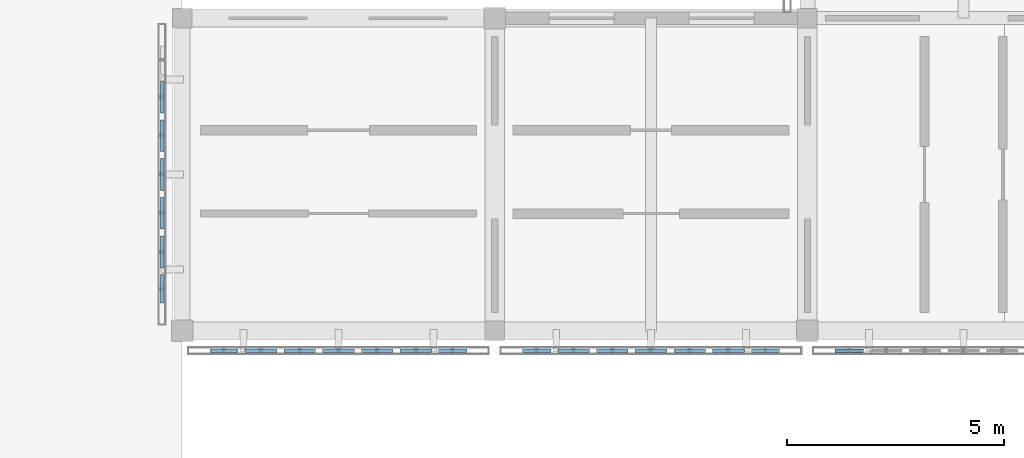
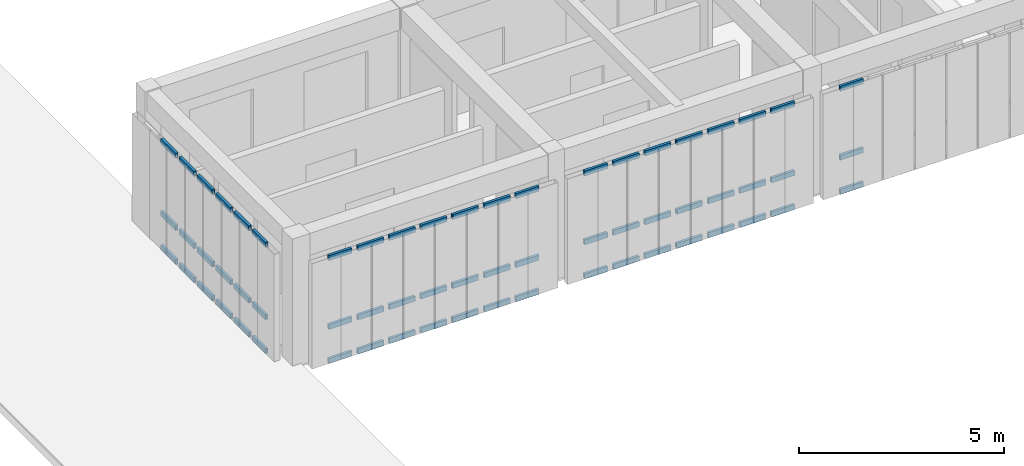
# One storey, part 26 of 67: 63 members, 4 elements without a shape of their own.
"""IFC4 building model written with IfcOpenShell, lengths in metres."""

from ifc_helpers import new_model, si_unit, direction, frame, origin, origin_2d, place, context, subcontext, project, spatial, hollow_rectangle, extrude, material, material_profile, profile_set, type_object, element, aggregate, save


model = new_model("IFC4")

# Units and contexts
model_context = context("Model", 3, precision=1e-05, world=origin(), true_north=direction((0.0, 1.0)))
body_context = subcontext(model_context, "Body", "Model", "MODEL_VIEW")
ifc_project = project(units=[si_unit("LENGTHUNIT", "METRE"), si_unit("AREAUNIT", "SQUARE_METRE"), si_unit("VOLUMEUNIT", "CUBIC_METRE"), si_unit("PLANEANGLEUNIT", "RADIAN"), si_unit("MASSUNIT", "GRAM", prefix="KILO")], contexts=[model_context])

# Site, building, storey
site_placement = place(None, origin())
site = spatial("IfcSite", under=ifc_project, at=site_placement, CompositionType="ELEMENT")
building_placement = place(site_placement, origin())
building = spatial("IfcBuilding", under=site, at=building_placement, Name="Aldebral Square Health Centre", CompositionType="ELEMENT")
storey_placement = place(building_placement, frame((0.0, 0.0, 13.5)))
storey = spatial("IfcBuildingStorey", under=building, at=storey_placement, Name="L03", CompositionType="ELEMENT", Elevation=13.5)

# Curtain wall, members
ifc_material_1 = material(Name="Aluminium and low-E solar glass", Category="aluminium")
curtain_wall_type = type_object("IfcCurtainWallType", Name="CW-FIN-SYS", PredefinedType="USERDEFINED", material=ifc_material_1)
curtain_wall_1_placement = place(storey_placement, origin())
curtain_wall_1 = element("IfcCurtainWall", 1, at=curtain_wall_1_placement, inside=storey, type_object=curtain_wall_type, Name="L03 V5 finned curtain wall L03-V5-20-08-S", ObjectType="SOLAR_CURTAIN_WALL", PredefinedType="USERDEFINED")
ifc_material_2 = material(Name="Anodised aluminium transom", Category="aluminium")
ifc_material_profile = material_profile(ifc_material_2, hollow_rectangle(XDim=0.074951171875, YDim=0.14990234375, WallThickness=0.00390625, at=origin_2d()), Name="CWT 75x150x4")
ifc_profile_set = profile_set([ifc_material_profile], Name="Anodised aluminium transom")
member_type = type_object("IfcMemberType", Name="CWT-STD", PredefinedType="USERDEFINED", material=ifc_profile_set)
member_1_placement = place(storey_placement, frame((144.639892578125, 57.139892578125, 0.03759765625), z_axis=(1.0, 0.0, 0.0), x_axis=(0.0, 1.0, 0.0)))
member_1 = element("IfcMember", 2, at=member_1_placement, type_object=member_type, Name="CW1 transom 1.1", ObjectType="TRANSOM", PredefinedType="USERDEFINED", context=body_context, shape_type="SweptSolid", body=[
    extrude(hollow_rectangle(XDim=0.074951171875, YDim=0.14990234375, WallThickness=0.00390625, at=origin_2d()), origin(), (0.0, 0.0, 1.0), 0.651611328125),
])
member_2_placement = place(storey_placement, frame((144.639892578125, 57.139892578125, 1.050048828125), z_axis=(1.0, 0.0, 0.0), x_axis=(0.0, 1.0, 0.0)))
member_2 = element("IfcMember", 3, at=member_2_placement, type_object=member_type, Name="CW1 transom 1.2", ObjectType="TRANSOM", PredefinedType="USERDEFINED", context=body_context, shape_type="SweptSolid", body=[
    extrude(hollow_rectangle(XDim=0.074951171875, YDim=0.14990234375, WallThickness=0.00390625, at=origin_2d()), origin(), (0.0, 0.0, 1.0), 0.651611328125),
])
member_3_placement = place(storey_placement, frame((144.639892578125, 57.139892578125, 3.1025390625), z_axis=(1.0, 0.0, 0.0), x_axis=(0.0, 1.0, 0.0)))
member_3 = element("IfcMember", 4, at=member_3_placement, type_object=member_type, Name="CW1 transom 1.3", ObjectType="TRANSOM", PredefinedType="USERDEFINED", context=body_context, shape_type="SweptSolid", body=[
    extrude(hollow_rectangle(XDim=0.074951171875, YDim=0.14990234375, WallThickness=0.00390625, at=origin_2d()), origin(), (0.0, 0.0, 1.0), 0.651611328125),
])
member_4_placement = place(storey_placement, frame((145.451416015625, 57.139892578125, 0.03759765625), z_axis=(1.0, 0.0, 0.0), x_axis=(0.0, 1.0, 0.0)))
member_4 = element("IfcMember", 5, at=member_4_placement, type_object=member_type, Name="CW1 transom 2.1", ObjectType="TRANSOM", PredefinedType="USERDEFINED", context=body_context, shape_type="SweptSolid", body=[
    extrude(hollow_rectangle(XDim=0.074951171875, YDim=0.14990234375, WallThickness=0.00390625, at=origin_2d()), origin(), (0.0, 0.0, 1.0), 0.7314453125),
])
member_5_placement = place(storey_placement, frame((145.451416015625, 57.139892578125, 1.050048828125), z_axis=(1.0, 0.0, 0.0), x_axis=(0.0, 1.0, 0.0)))
member_5 = element("IfcMember", 6, at=member_5_placement, type_object=member_type, Name="CW1 transom 2.2", ObjectType="TRANSOM", PredefinedType="USERDEFINED", context=body_context, shape_type="SweptSolid", body=[
    extrude(hollow_rectangle(XDim=0.074951171875, YDim=0.14990234375, WallThickness=0.00390625, at=origin_2d()), origin(), (0.0, 0.0, 1.0), 0.7314453125),
])
member_6_placement = place(storey_placement, frame((145.451416015625, 57.139892578125, 3.1025390625), z_axis=(1.0, 0.0, 0.0), x_axis=(0.0, 1.0, 0.0)))
member_6 = element("IfcMember", 7, at=member_6_placement, type_object=member_type, Name="CW1 transom 2.3", ObjectType="TRANSOM", PredefinedType="USERDEFINED", context=body_context, shape_type="SweptSolid", body=[
    extrude(hollow_rectangle(XDim=0.074951171875, YDim=0.14990234375, WallThickness=0.00390625, at=origin_2d()), origin(), (0.0, 0.0, 1.0), 0.7314453125),
])
member_7_placement = place(storey_placement, frame((146.3427734375, 57.139892578125, 0.03759765625), z_axis=(1.0, 0.0, 0.0), x_axis=(0.0, 1.0, 0.0)))
member_7 = element("IfcMember", 8, at=member_7_placement, type_object=member_type, Name="CW1 transom 3.1", ObjectType="TRANSOM", PredefinedType="USERDEFINED", context=body_context, shape_type="SweptSolid", body=[
    extrude(hollow_rectangle(XDim=0.074951171875, YDim=0.14990234375, WallThickness=0.00390625, at=origin_2d()), origin(), (0.0, 0.0, 1.0), 0.7314453125),
])
member_8_placement = place(storey_placement, frame((146.3427734375, 57.139892578125, 1.050048828125), z_axis=(1.0, 0.0, 0.0), x_axis=(0.0, 1.0, 0.0)))
member_8 = element("IfcMember", 9, at=member_8_placement, type_object=member_type, Name="CW1 transom 3.2", ObjectType="TRANSOM", PredefinedType="USERDEFINED", context=body_context, shape_type="SweptSolid", body=[
    extrude(hollow_rectangle(XDim=0.074951171875, YDim=0.14990234375, WallThickness=0.00390625, at=origin_2d()), origin(), (0.0, 0.0, 1.0), 0.7314453125),
])
member_9_placement = place(storey_placement, frame((146.3427734375, 57.139892578125, 3.1025390625), z_axis=(1.0, 0.0, 0.0), x_axis=(0.0, 1.0, 0.0)))
member_9 = element("IfcMember", 10, at=member_9_placement, type_object=member_type, Name="CW1 transom 3.3", ObjectType="TRANSOM", PredefinedType="USERDEFINED", context=body_context, shape_type="SweptSolid", body=[
    extrude(hollow_rectangle(XDim=0.074951171875, YDim=0.14990234375, WallThickness=0.00390625, at=origin_2d()), origin(), (0.0, 0.0, 1.0), 0.7314453125),
])
member_10_placement = place(storey_placement, frame((147.234375, 57.139892578125, 0.03759765625), z_axis=(1.0, 0.0, 0.0), x_axis=(0.0, 1.0, 0.0)))
member_10 = element("IfcMember", 11, at=member_10_placement, type_object=member_type, Name="CW1 transom 4.1", ObjectType="TRANSOM", PredefinedType="USERDEFINED", context=body_context, shape_type="SweptSolid", body=[
    extrude(hollow_rectangle(XDim=0.074951171875, YDim=0.14990234375, WallThickness=0.00390625, at=origin_2d()), origin(), (0.0, 0.0, 1.0), 0.7314453125),
])
member_11_placement = place(storey_placement, frame((147.234375, 57.139892578125, 1.050048828125), z_axis=(1.0, 0.0, 0.0), x_axis=(0.0, 1.0, 0.0)))
member_11 = element("IfcMember", 12, at=member_11_placement, type_object=member_type, Name="CW1 transom 4.2", ObjectType="TRANSOM", PredefinedType="USERDEFINED", context=body_context, shape_type="SweptSolid", body=[
    extrude(hollow_rectangle(XDim=0.074951171875, YDim=0.14990234375, WallThickness=0.00390625, at=origin_2d()), origin(), (0.0, 0.0, 1.0), 0.7314453125),
])
member_12_placement = place(storey_placement, frame((147.234375, 57.139892578125, 3.1025390625), z_axis=(1.0, 0.0, 0.0), x_axis=(0.0, 1.0, 0.0)))
member_12 = element("IfcMember", 13, at=member_12_placement, type_object=member_type, Name="CW1 transom 4.3", ObjectType="TRANSOM", PredefinedType="USERDEFINED", context=body_context, shape_type="SweptSolid", body=[
    extrude(hollow_rectangle(XDim=0.074951171875, YDim=0.14990234375, WallThickness=0.00390625, at=origin_2d()), origin(), (0.0, 0.0, 1.0), 0.7314453125),
])
member_13_placement = place(storey_placement, frame((148.125732421875, 57.139892578125, 0.03759765625), z_axis=(1.0, 0.0, 0.0), x_axis=(0.0, 1.0, 0.0)))
member_13 = element("IfcMember", 14, at=member_13_placement, type_object=member_type, Name="CW1 transom 5.1", ObjectType="TRANSOM", PredefinedType="USERDEFINED", context=body_context, shape_type="SweptSolid", body=[
    extrude(hollow_rectangle(XDim=0.074951171875, YDim=0.14990234375, WallThickness=0.00390625, at=origin_2d()), origin(), (0.0, 0.0, 1.0), 0.7314453125),
])
member_14_placement = place(storey_placement, frame((148.125732421875, 57.139892578125, 1.050048828125), z_axis=(1.0, 0.0, 0.0), x_axis=(0.0, 1.0, 0.0)))
member_14 = element("IfcMember", 15, at=member_14_placement, type_object=member_type, Name="CW1 transom 5.2", ObjectType="TRANSOM", PredefinedType="USERDEFINED", context=body_context, shape_type="SweptSolid", body=[
    extrude(hollow_rectangle(XDim=0.074951171875, YDim=0.14990234375, WallThickness=0.00390625, at=origin_2d()), origin(), (0.0, 0.0, 1.0), 0.7314453125),
])
member_15_placement = place(storey_placement, frame((148.125732421875, 57.139892578125, 3.1025390625), z_axis=(1.0, 0.0, 0.0), x_axis=(0.0, 1.0, 0.0)))
member_15 = element("IfcMember", 16, at=member_15_placement, type_object=member_type, Name="CW1 transom 5.3", ObjectType="TRANSOM", PredefinedType="USERDEFINED", context=body_context, shape_type="SweptSolid", body=[
    extrude(hollow_rectangle(XDim=0.074951171875, YDim=0.14990234375, WallThickness=0.00390625, at=origin_2d()), origin(), (0.0, 0.0, 1.0), 0.7314453125),
])
member_16_placement = place(storey_placement, frame((149.01708984375, 57.139892578125, 0.03759765625), z_axis=(1.0, 0.0, 0.0), x_axis=(0.0, 1.0, 0.0)))
member_16 = element("IfcMember", 17, at=member_16_placement, type_object=member_type, Name="CW1 transom 6.1", ObjectType="TRANSOM", PredefinedType="USERDEFINED", context=body_context, shape_type="SweptSolid", body=[
    extrude(hollow_rectangle(XDim=0.074951171875, YDim=0.14990234375, WallThickness=0.00390625, at=origin_2d()), origin(), (0.0, 0.0, 1.0), 0.7314453125),
])
member_17_placement = place(storey_placement, frame((149.01708984375, 57.139892578125, 1.050048828125), z_axis=(1.0, 0.0, 0.0), x_axis=(0.0, 1.0, 0.0)))
member_17 = element("IfcMember", 18, at=member_17_placement, type_object=member_type, Name="CW1 transom 6.2", ObjectType="TRANSOM", PredefinedType="USERDEFINED", context=body_context, shape_type="SweptSolid", body=[
    extrude(hollow_rectangle(XDim=0.074951171875, YDim=0.14990234375, WallThickness=0.00390625, at=origin_2d()), origin(), (0.0, 0.0, 1.0), 0.7314453125),
])
member_18_placement = place(storey_placement, frame((149.01708984375, 57.139892578125, 3.1025390625), z_axis=(1.0, 0.0, 0.0), x_axis=(0.0, 1.0, 0.0)))
member_18 = element("IfcMember", 19, at=member_18_placement, type_object=member_type, Name="CW1 transom 6.3", ObjectType="TRANSOM", PredefinedType="USERDEFINED", context=body_context, shape_type="SweptSolid", body=[
    extrude(hollow_rectangle(XDim=0.074951171875, YDim=0.14990234375, WallThickness=0.00390625, at=origin_2d()), origin(), (0.0, 0.0, 1.0), 0.7314453125),
])
member_19_placement = place(storey_placement, frame((149.90869140625, 57.139892578125, 0.03759765625), z_axis=(1.0, 0.0, 0.0), x_axis=(0.0, 1.0, 0.0)))
member_19 = element("IfcMember", 20, at=member_19_placement, type_object=member_type, Name="CW1 transom 7.1", ObjectType="TRANSOM", PredefinedType="USERDEFINED", context=body_context, shape_type="SweptSolid", body=[
    extrude(hollow_rectangle(XDim=0.074951171875, YDim=0.14990234375, WallThickness=0.00390625, at=origin_2d()), origin(), (0.0, 0.0, 1.0), 0.6513671875),
])
member_20_placement = place(storey_placement, frame((149.90869140625, 57.139892578125, 1.050048828125), z_axis=(1.0, 0.0, 0.0), x_axis=(0.0, 1.0, 0.0)))
member_20 = element("IfcMember", 21, at=member_20_placement, type_object=member_type, Name="CW1 transom 7.2", ObjectType="TRANSOM", PredefinedType="USERDEFINED", context=body_context, shape_type="SweptSolid", body=[
    extrude(hollow_rectangle(XDim=0.074951171875, YDim=0.14990234375, WallThickness=0.00390625, at=origin_2d()), origin(), (0.0, 0.0, 1.0), 0.6513671875),
])
member_21_placement = place(storey_placement, frame((149.90869140625, 57.139892578125, 3.1025390625), z_axis=(1.0, 0.0, 0.0), x_axis=(0.0, 1.0, 0.0)))
member_21 = element("IfcMember", 22, at=member_21_placement, type_object=member_type, Name="CW1 transom 7.3", ObjectType="TRANSOM", PredefinedType="USERDEFINED", context=body_context, shape_type="SweptSolid", body=[
    extrude(hollow_rectangle(XDim=0.074951171875, YDim=0.14990234375, WallThickness=0.00390625, at=origin_2d()), origin(), (0.0, 0.0, 1.0), 0.6513671875),
])
aggregate(curtain_wall_1, [member_1, member_2, member_3, member_4, member_5, member_6, member_7, member_8, member_9, member_10, member_11, member_12, member_13, member_14, member_15, member_16, member_17, member_18, member_19, member_20, member_21])

curtain_wall_2_placement = place(storey_placement, origin())
curtain_wall_2 = element("IfcCurtainWall", 23, at=curtain_wall_2_placement, inside=storey, type_object=curtain_wall_type, Name="L03 V5 finned curtain wall L03-V5-20-08-W", ObjectType="SOLAR_CURTAIN_WALL", PredefinedType="USERDEFINED")
member_22_placement = place(storey_placement, frame((143.5400390625, 63.3486328125, 0.03759765625), z_axis=(0.0, -1.0, 0.0), x_axis=(1.0, 0.0, 0.0)))
member_22 = element("IfcMember", 24, at=member_22_placement, type_object=member_type, Name="CW1 transom 2.1", ObjectType="TRANSOM", PredefinedType="USERDEFINED", context=body_context, shape_type="SweptSolid", body=[
    extrude(hollow_rectangle(XDim=0.074951171875, YDim=0.14990234375, WallThickness=0.00390625, at=origin_2d()), origin(), (0.0, 0.0, 1.0), 0.7314453125),
])
member_23_placement = place(storey_placement, frame((143.5400390625, 63.3486328125, 1.050048828125), z_axis=(0.0, -1.0, 0.0), x_axis=(1.0, 0.0, 0.0)))
member_23 = element("IfcMember", 25, at=member_23_placement, type_object=member_type, Name="CW1 transom 2.2", ObjectType="TRANSOM", PredefinedType="USERDEFINED", context=body_context, shape_type="SweptSolid", body=[
    extrude(hollow_rectangle(XDim=0.074951171875, YDim=0.14990234375, WallThickness=0.00390625, at=origin_2d()), origin(), (0.0, 0.0, 1.0), 0.7314453125),
])
member_24_placement = place(storey_placement, frame((143.5400390625, 63.3486328125, 3.202392578125), z_axis=(0.0, -1.0, 0.0), x_axis=(1.0, 0.0, 0.0)))
member_24 = element("IfcMember", 26, at=member_24_placement, type_object=member_type, Name="CW1 transom 2.3", ObjectType="TRANSOM", PredefinedType="USERDEFINED", context=body_context, shape_type="SweptSolid", body=[
    extrude(hollow_rectangle(XDim=0.074951171875, YDim=0.14990234375, WallThickness=0.00390625, at=origin_2d()), origin(), (0.0, 0.0, 1.0), 0.7314453125),
])
member_25_placement = place(storey_placement, frame((143.5400390625, 62.45703125, 0.03759765625), z_axis=(0.0, -1.0, 0.0), x_axis=(1.0, 0.0, 0.0)))
member_25 = element("IfcMember", 27, at=member_25_placement, type_object=member_type, Name="CW1 transom 3.1", ObjectType="TRANSOM", PredefinedType="USERDEFINED", context=body_context, shape_type="SweptSolid", body=[
    extrude(hollow_rectangle(XDim=0.074951171875, YDim=0.14990234375, WallThickness=0.00390625, at=origin_2d()), origin(), (0.0, 0.0, 1.0), 0.731201171875),
])
member_26_placement = place(storey_placement, frame((143.5400390625, 62.45703125, 1.050048828125), z_axis=(0.0, -1.0, 0.0), x_axis=(1.0, 0.0, 0.0)))
member_26 = element("IfcMember", 28, at=member_26_placement, type_object=member_type, Name="CW1 transom 3.2", ObjectType="TRANSOM", PredefinedType="USERDEFINED", context=body_context, shape_type="SweptSolid", body=[
    extrude(hollow_rectangle(XDim=0.074951171875, YDim=0.14990234375, WallThickness=0.00390625, at=origin_2d()), origin(), (0.0, 0.0, 1.0), 0.731201171875),
])
member_27_placement = place(storey_placement, frame((143.5400390625, 62.45703125, 3.202392578125), z_axis=(0.0, -1.0, 0.0), x_axis=(1.0, 0.0, 0.0)))
member_27 = element("IfcMember", 29, at=member_27_placement, type_object=member_type, Name="CW1 transom 3.3", ObjectType="TRANSOM", PredefinedType="USERDEFINED", context=body_context, shape_type="SweptSolid", body=[
    extrude(hollow_rectangle(XDim=0.074951171875, YDim=0.14990234375, WallThickness=0.00390625, at=origin_2d()), origin(), (0.0, 0.0, 1.0), 0.731201171875),
])
member_28_placement = place(storey_placement, frame((143.5400390625, 61.565673828125, 0.03759765625), z_axis=(0.0, -1.0, 0.0), x_axis=(1.0, 0.0, 0.0)))
member_28 = element("IfcMember", 30, at=member_28_placement, type_object=member_type, Name="CW1 transom 4.1", ObjectType="TRANSOM", PredefinedType="USERDEFINED", context=body_context, shape_type="SweptSolid", body=[
    extrude(hollow_rectangle(XDim=0.074951171875, YDim=0.14990234375, WallThickness=0.00390625, at=origin_2d()), origin(), (0.0, 0.0, 1.0), 0.7314453125),
])
member_29_placement = place(storey_placement, frame((143.5400390625, 61.565673828125, 1.050048828125), z_axis=(0.0, -1.0, 0.0), x_axis=(1.0, 0.0, 0.0)))
member_29 = element("IfcMember", 31, at=member_29_placement, type_object=member_type, Name="CW1 transom 4.2", ObjectType="TRANSOM", PredefinedType="USERDEFINED", context=body_context, shape_type="SweptSolid", body=[
    extrude(hollow_rectangle(XDim=0.074951171875, YDim=0.14990234375, WallThickness=0.00390625, at=origin_2d()), origin(), (0.0, 0.0, 1.0), 0.7314453125),
])
member_30_placement = place(storey_placement, frame((143.5400390625, 61.565673828125, 3.202392578125), z_axis=(0.0, -1.0, 0.0), x_axis=(1.0, 0.0, 0.0)))
member_30 = element("IfcMember", 32, at=member_30_placement, type_object=member_type, Name="CW1 transom 4.3", ObjectType="TRANSOM", PredefinedType="USERDEFINED", context=body_context, shape_type="SweptSolid", body=[
    extrude(hollow_rectangle(XDim=0.074951171875, YDim=0.14990234375, WallThickness=0.00390625, at=origin_2d()), origin(), (0.0, 0.0, 1.0), 0.7314453125),
])
member_31_placement = place(storey_placement, frame((143.5400390625, 60.67431640625, 0.03759765625), z_axis=(0.0, -1.0, 0.0), x_axis=(1.0, 0.0, 0.0)))
member_31 = element("IfcMember", 33, at=member_31_placement, type_object=member_type, Name="CW1 transom 5.1", ObjectType="TRANSOM", PredefinedType="USERDEFINED", context=body_context, shape_type="SweptSolid", body=[
    extrude(hollow_rectangle(XDim=0.074951171875, YDim=0.14990234375, WallThickness=0.00390625, at=origin_2d()), origin(), (0.0, 0.0, 1.0), 0.7314453125),
])
member_32_placement = place(storey_placement, frame((143.5400390625, 60.67431640625, 1.050048828125), z_axis=(0.0, -1.0, 0.0), x_axis=(1.0, 0.0, 0.0)))
member_32 = element("IfcMember", 34, at=member_32_placement, type_object=member_type, Name="CW1 transom 5.2", ObjectType="TRANSOM", PredefinedType="USERDEFINED", context=body_context, shape_type="SweptSolid", body=[
    extrude(hollow_rectangle(XDim=0.074951171875, YDim=0.14990234375, WallThickness=0.00390625, at=origin_2d()), origin(), (0.0, 0.0, 1.0), 0.7314453125),
])
member_33_placement = place(storey_placement, frame((143.5400390625, 60.67431640625, 3.202392578125), z_axis=(0.0, -1.0, 0.0), x_axis=(1.0, 0.0, 0.0)))
member_33 = element("IfcMember", 35, at=member_33_placement, type_object=member_type, Name="CW1 transom 5.3", ObjectType="TRANSOM", PredefinedType="USERDEFINED", context=body_context, shape_type="SweptSolid", body=[
    extrude(hollow_rectangle(XDim=0.074951171875, YDim=0.14990234375, WallThickness=0.00390625, at=origin_2d()), origin(), (0.0, 0.0, 1.0), 0.7314453125),
])
member_34_placement = place(storey_placement, frame((143.5400390625, 59.782958984375, 0.03759765625), z_axis=(0.0, -1.0, 0.0), x_axis=(1.0, 0.0, 0.0)))
member_34 = element("IfcMember", 36, at=member_34_placement, type_object=member_type, Name="CW1 transom 6.1", ObjectType="TRANSOM", PredefinedType="USERDEFINED", context=body_context, shape_type="SweptSolid", body=[
    extrude(hollow_rectangle(XDim=0.074951171875, YDim=0.14990234375, WallThickness=0.00390625, at=origin_2d()), origin(), (0.0, 0.0, 1.0), 0.7314453125),
])
member_35_placement = place(storey_placement, frame((143.5400390625, 59.782958984375, 1.050048828125), z_axis=(0.0, -1.0, 0.0), x_axis=(1.0, 0.0, 0.0)))
member_35 = element("IfcMember", 37, at=member_35_placement, type_object=member_type, Name="CW1 transom 6.2", ObjectType="TRANSOM", PredefinedType="USERDEFINED", context=body_context, shape_type="SweptSolid", body=[
    extrude(hollow_rectangle(XDim=0.074951171875, YDim=0.14990234375, WallThickness=0.00390625, at=origin_2d()), origin(), (0.0, 0.0, 1.0), 0.7314453125),
])
member_36_placement = place(storey_placement, frame((143.5400390625, 59.782958984375, 3.202392578125), z_axis=(0.0, -1.0, 0.0), x_axis=(1.0, 0.0, 0.0)))
member_36 = element("IfcMember", 38, at=member_36_placement, type_object=member_type, Name="CW1 transom 6.3", ObjectType="TRANSOM", PredefinedType="USERDEFINED", context=body_context, shape_type="SweptSolid", body=[
    extrude(hollow_rectangle(XDim=0.074951171875, YDim=0.14990234375, WallThickness=0.00390625, at=origin_2d()), origin(), (0.0, 0.0, 1.0), 0.7314453125),
])
member_37_placement = place(storey_placement, frame((143.5400390625, 58.891357421875, 0.03759765625), z_axis=(0.0, -1.0, 0.0), x_axis=(1.0, 0.0, 0.0)))
member_37 = element("IfcMember", 39, at=member_37_placement, type_object=member_type, Name="CW1 transom 7.1", ObjectType="TRANSOM", PredefinedType="USERDEFINED", context=body_context, shape_type="SweptSolid", body=[
    extrude(hollow_rectangle(XDim=0.074951171875, YDim=0.14990234375, WallThickness=0.00390625, at=origin_2d()), origin(), (0.0, 0.0, 1.0), 0.6513671875),
])
member_38_placement = place(storey_placement, frame((143.5400390625, 58.891357421875, 1.050048828125), z_axis=(0.0, -1.0, 0.0), x_axis=(1.0, 0.0, 0.0)))
member_38 = element("IfcMember", 40, at=member_38_placement, type_object=member_type, Name="CW1 transom 7.2", ObjectType="TRANSOM", PredefinedType="USERDEFINED", context=body_context, shape_type="SweptSolid", body=[
    extrude(hollow_rectangle(XDim=0.074951171875, YDim=0.14990234375, WallThickness=0.00390625, at=origin_2d()), origin(), (0.0, 0.0, 1.0), 0.6513671875),
])
member_39_placement = place(storey_placement, frame((143.5400390625, 58.891357421875, 3.202392578125), z_axis=(0.0, -1.0, 0.0), x_axis=(1.0, 0.0, 0.0)))
member_39 = element("IfcMember", 41, at=member_39_placement, type_object=member_type, Name="CW1 transom 7.3", ObjectType="TRANSOM", PredefinedType="USERDEFINED", context=body_context, shape_type="SweptSolid", body=[
    extrude(hollow_rectangle(XDim=0.074951171875, YDim=0.14990234375, WallThickness=0.00390625, at=origin_2d()), origin(), (0.0, 0.0, 1.0), 0.6513671875),
])
aggregate(curtain_wall_2, [member_22, member_23, member_24, member_25, member_26, member_27, member_28, member_29, member_30, member_31, member_32, member_33, member_34, member_35, member_36, member_37, member_38, member_39])

curtain_wall_3_placement = place(storey_placement, origin())
curtain_wall_3 = element("IfcCurtainWall", 42, at=curtain_wall_3_placement, inside=storey, type_object=curtain_wall_type, Name="L03 V5 finned curtain wall L03-V5-21-08-S", ObjectType="SOLAR_CURTAIN_WALL", PredefinedType="USERDEFINED")
member_40_placement = place(storey_placement, frame((151.840087890625, 57.139892578125, 0.03759765625), z_axis=(1.0, 0.0, 0.0), x_axis=(0.0, 1.0, 0.0)))
member_40 = element("IfcMember", 43, at=member_40_placement, type_object=member_type, Name="CW1 transom 1.1", ObjectType="TRANSOM", PredefinedType="USERDEFINED", context=body_context, shape_type="SweptSolid", body=[
    extrude(hollow_rectangle(XDim=0.074951171875, YDim=0.14990234375, WallThickness=0.00390625, at=origin_2d()), origin(), (0.0, 0.0, 1.0), 0.6513671875),
])
member_41_placement = place(storey_placement, frame((151.840087890625, 57.139892578125, 1.050048828125), z_axis=(1.0, 0.0, 0.0), x_axis=(0.0, 1.0, 0.0)))
member_41 = element("IfcMember", 44, at=member_41_placement, type_object=member_type, Name="CW1 transom 1.2", ObjectType="TRANSOM", PredefinedType="USERDEFINED", context=body_context, shape_type="SweptSolid", body=[
    extrude(hollow_rectangle(XDim=0.074951171875, YDim=0.14990234375, WallThickness=0.00390625, at=origin_2d()), origin(), (0.0, 0.0, 1.0), 0.6513671875),
])
member_42_placement = place(storey_placement, frame((151.840087890625, 57.139892578125, 3.1025390625), z_axis=(1.0, 0.0, 0.0), x_axis=(0.0, 1.0, 0.0)))
member_42 = element("IfcMember", 45, at=member_42_placement, type_object=member_type, Name="CW1 transom 1.3", ObjectType="TRANSOM", PredefinedType="USERDEFINED", context=body_context, shape_type="SweptSolid", body=[
    extrude(hollow_rectangle(XDim=0.074951171875, YDim=0.14990234375, WallThickness=0.00390625, at=origin_2d()), origin(), (0.0, 0.0, 1.0), 0.6513671875),
])
member_43_placement = place(storey_placement, frame((152.6513671875, 57.139892578125, 0.03759765625), z_axis=(1.0, 0.0, 0.0), x_axis=(0.0, 1.0, 0.0)))
member_43 = element("IfcMember", 46, at=member_43_placement, type_object=member_type, Name="CW1 transom 2.1", ObjectType="TRANSOM", PredefinedType="USERDEFINED", context=body_context, shape_type="SweptSolid", body=[
    extrude(hollow_rectangle(XDim=0.074951171875, YDim=0.14990234375, WallThickness=0.00390625, at=origin_2d()), origin(), (0.0, 0.0, 1.0), 0.7314453125),
])
member_44_placement = place(storey_placement, frame((152.6513671875, 57.139892578125, 1.050048828125), z_axis=(1.0, 0.0, 0.0), x_axis=(0.0, 1.0, 0.0)))
member_44 = element("IfcMember", 47, at=member_44_placement, type_object=member_type, Name="CW1 transom 2.2", ObjectType="TRANSOM", PredefinedType="USERDEFINED", context=body_context, shape_type="SweptSolid", body=[
    extrude(hollow_rectangle(XDim=0.074951171875, YDim=0.14990234375, WallThickness=0.00390625, at=origin_2d()), origin(), (0.0, 0.0, 1.0), 0.7314453125),
])
member_45_placement = place(storey_placement, frame((152.6513671875, 57.139892578125, 3.1025390625), z_axis=(1.0, 0.0, 0.0), x_axis=(0.0, 1.0, 0.0)))
member_45 = element("IfcMember", 48, at=member_45_placement, type_object=member_type, Name="CW1 transom 2.3", ObjectType="TRANSOM", PredefinedType="USERDEFINED", context=body_context, shape_type="SweptSolid", body=[
    extrude(hollow_rectangle(XDim=0.074951171875, YDim=0.14990234375, WallThickness=0.00390625, at=origin_2d()), origin(), (0.0, 0.0, 1.0), 0.7314453125),
])
member_46_placement = place(storey_placement, frame((153.54296875, 57.139892578125, 0.03759765625), z_axis=(1.0, 0.0, 0.0), x_axis=(0.0, 1.0, 0.0)))
member_46 = element("IfcMember", 49, at=member_46_placement, type_object=member_type, Name="CW1 transom 3.1", ObjectType="TRANSOM", PredefinedType="USERDEFINED", context=body_context, shape_type="SweptSolid", body=[
    extrude(hollow_rectangle(XDim=0.074951171875, YDim=0.14990234375, WallThickness=0.00390625, at=origin_2d()), origin(), (0.0, 0.0, 1.0), 0.731201171875),
])
member_47_placement = place(storey_placement, frame((153.54296875, 57.139892578125, 1.050048828125), z_axis=(1.0, 0.0, 0.0), x_axis=(0.0, 1.0, 0.0)))
member_47 = element("IfcMember", 50, at=member_47_placement, type_object=member_type, Name="CW1 transom 3.2", ObjectType="TRANSOM", PredefinedType="USERDEFINED", context=body_context, shape_type="SweptSolid", body=[
    extrude(hollow_rectangle(XDim=0.074951171875, YDim=0.14990234375, WallThickness=0.00390625, at=origin_2d()), origin(), (0.0, 0.0, 1.0), 0.731201171875),
])
member_48_placement = place(storey_placement, frame((153.54296875, 57.139892578125, 3.1025390625), z_axis=(1.0, 0.0, 0.0), x_axis=(0.0, 1.0, 0.0)))
member_48 = element("IfcMember", 51, at=member_48_placement, type_object=member_type, Name="CW1 transom 3.3", ObjectType="TRANSOM", PredefinedType="USERDEFINED", context=body_context, shape_type="SweptSolid", body=[
    extrude(hollow_rectangle(XDim=0.074951171875, YDim=0.14990234375, WallThickness=0.00390625, at=origin_2d()), origin(), (0.0, 0.0, 1.0), 0.731201171875),
])
member_49_placement = place(storey_placement, frame((154.434326171875, 57.139892578125, 0.03759765625), z_axis=(1.0, 0.0, 0.0), x_axis=(0.0, 1.0, 0.0)))
member_49 = element("IfcMember", 52, at=member_49_placement, type_object=member_type, Name="CW1 transom 4.1", ObjectType="TRANSOM", PredefinedType="USERDEFINED", context=body_context, shape_type="SweptSolid", body=[
    extrude(hollow_rectangle(XDim=0.074951171875, YDim=0.14990234375, WallThickness=0.00390625, at=origin_2d()), origin(), (0.0, 0.0, 1.0), 0.7314453125),
])
member_50_placement = place(storey_placement, frame((154.434326171875, 57.139892578125, 1.050048828125), z_axis=(1.0, 0.0, 0.0), x_axis=(0.0, 1.0, 0.0)))
member_50 = element("IfcMember", 53, at=member_50_placement, type_object=member_type, Name="CW1 transom 4.2", ObjectType="TRANSOM", PredefinedType="USERDEFINED", context=body_context, shape_type="SweptSolid", body=[
    extrude(hollow_rectangle(XDim=0.074951171875, YDim=0.14990234375, WallThickness=0.00390625, at=origin_2d()), origin(), (0.0, 0.0, 1.0), 0.7314453125),
])
member_51_placement = place(storey_placement, frame((154.434326171875, 57.139892578125, 3.1025390625), z_axis=(1.0, 0.0, 0.0), x_axis=(0.0, 1.0, 0.0)))
member_51 = element("IfcMember", 54, at=member_51_placement, type_object=member_type, Name="CW1 transom 4.3", ObjectType="TRANSOM", PredefinedType="USERDEFINED", context=body_context, shape_type="SweptSolid", body=[
    extrude(hollow_rectangle(XDim=0.074951171875, YDim=0.14990234375, WallThickness=0.00390625, at=origin_2d()), origin(), (0.0, 0.0, 1.0), 0.7314453125),
])
member_52_placement = place(storey_placement, frame((155.32568359375, 57.139892578125, 0.03759765625), z_axis=(1.0, 0.0, 0.0), x_axis=(0.0, 1.0, 0.0)))
member_52 = element("IfcMember", 55, at=member_52_placement, type_object=member_type, Name="CW1 transom 5.1", ObjectType="TRANSOM", PredefinedType="USERDEFINED", context=body_context, shape_type="SweptSolid", body=[
    extrude(hollow_rectangle(XDim=0.074951171875, YDim=0.14990234375, WallThickness=0.00390625, at=origin_2d()), origin(), (0.0, 0.0, 1.0), 0.7314453125),
])
member_53_placement = place(storey_placement, frame((155.32568359375, 57.139892578125, 1.050048828125), z_axis=(1.0, 0.0, 0.0), x_axis=(0.0, 1.0, 0.0)))
member_53 = element("IfcMember", 56, at=member_53_placement, type_object=member_type, Name="CW1 transom 5.2", ObjectType="TRANSOM", PredefinedType="USERDEFINED", context=body_context, shape_type="SweptSolid", body=[
    extrude(hollow_rectangle(XDim=0.074951171875, YDim=0.14990234375, WallThickness=0.00390625, at=origin_2d()), origin(), (0.0, 0.0, 1.0), 0.7314453125),
])
member_54_placement = place(storey_placement, frame((155.32568359375, 57.139892578125, 3.1025390625), z_axis=(1.0, 0.0, 0.0), x_axis=(0.0, 1.0, 0.0)))
member_54 = element("IfcMember", 57, at=member_54_placement, type_object=member_type, Name="CW1 transom 5.3", ObjectType="TRANSOM", PredefinedType="USERDEFINED", context=body_context, shape_type="SweptSolid", body=[
    extrude(hollow_rectangle(XDim=0.074951171875, YDim=0.14990234375, WallThickness=0.00390625, at=origin_2d()), origin(), (0.0, 0.0, 1.0), 0.7314453125),
])
member_55_placement = place(storey_placement, frame((156.217041015625, 57.139892578125, 0.03759765625), z_axis=(1.0, 0.0, 0.0), x_axis=(0.0, 1.0, 0.0)))
member_55 = element("IfcMember", 58, at=member_55_placement, type_object=member_type, Name="CW1 transom 6.1", ObjectType="TRANSOM", PredefinedType="USERDEFINED", context=body_context, shape_type="SweptSolid", body=[
    extrude(hollow_rectangle(XDim=0.074951171875, YDim=0.14990234375, WallThickness=0.00390625, at=origin_2d()), origin(), (0.0, 0.0, 1.0), 0.7314453125),
])
member_56_placement = place(storey_placement, frame((156.217041015625, 57.139892578125, 1.050048828125), z_axis=(1.0, 0.0, 0.0), x_axis=(0.0, 1.0, 0.0)))
member_56 = element("IfcMember", 59, at=member_56_placement, type_object=member_type, Name="CW1 transom 6.2", ObjectType="TRANSOM", PredefinedType="USERDEFINED", context=body_context, shape_type="SweptSolid", body=[
    extrude(hollow_rectangle(XDim=0.074951171875, YDim=0.14990234375, WallThickness=0.00390625, at=origin_2d()), origin(), (0.0, 0.0, 1.0), 0.7314453125),
])
member_57_placement = place(storey_placement, frame((156.217041015625, 57.139892578125, 3.1025390625), z_axis=(1.0, 0.0, 0.0), x_axis=(0.0, 1.0, 0.0)))
member_57 = element("IfcMember", 60, at=member_57_placement, type_object=member_type, Name="CW1 transom 6.3", ObjectType="TRANSOM", PredefinedType="USERDEFINED", context=body_context, shape_type="SweptSolid", body=[
    extrude(hollow_rectangle(XDim=0.074951171875, YDim=0.14990234375, WallThickness=0.00390625, at=origin_2d()), origin(), (0.0, 0.0, 1.0), 0.7314453125),
])
member_58_placement = place(storey_placement, frame((157.108642578125, 57.139892578125, 0.03759765625), z_axis=(1.0, 0.0, 0.0), x_axis=(0.0, 1.0, 0.0)))
member_58 = element("IfcMember", 61, at=member_58_placement, type_object=member_type, Name="CW1 transom 7.1", ObjectType="TRANSOM", PredefinedType="USERDEFINED", context=body_context, shape_type="SweptSolid", body=[
    extrude(hollow_rectangle(XDim=0.074951171875, YDim=0.14990234375, WallThickness=0.00390625, at=origin_2d()), origin(), (0.0, 0.0, 1.0), 0.6513671875),
])
member_59_placement = place(storey_placement, frame((157.108642578125, 57.139892578125, 1.050048828125), z_axis=(1.0, 0.0, 0.0), x_axis=(0.0, 1.0, 0.0)))
member_59 = element("IfcMember", 62, at=member_59_placement, type_object=member_type, Name="CW1 transom 7.2", ObjectType="TRANSOM", PredefinedType="USERDEFINED", context=body_context, shape_type="SweptSolid", body=[
    extrude(hollow_rectangle(XDim=0.074951171875, YDim=0.14990234375, WallThickness=0.00390625, at=origin_2d()), origin(), (0.0, 0.0, 1.0), 0.6513671875),
])
member_60_placement = place(storey_placement, frame((157.108642578125, 57.139892578125, 3.1025390625), z_axis=(1.0, 0.0, 0.0), x_axis=(0.0, 1.0, 0.0)))
member_60 = element("IfcMember", 63, at=member_60_placement, type_object=member_type, Name="CW1 transom 7.3", ObjectType="TRANSOM", PredefinedType="USERDEFINED", context=body_context, shape_type="SweptSolid", body=[
    extrude(hollow_rectangle(XDim=0.074951171875, YDim=0.14990234375, WallThickness=0.00390625, at=origin_2d()), origin(), (0.0, 0.0, 1.0), 0.6513671875),
])
aggregate(curtain_wall_3, [member_40, member_41, member_42, member_43, member_44, member_45, member_46, member_47, member_48, member_49, member_50, member_51, member_52, member_53, member_54, member_55, member_56, member_57, member_58, member_59, member_60])

curtain_wall_4_placement = place(storey_placement, origin())
curtain_wall_4 = element("IfcCurtainWall", 64, at=curtain_wall_4_placement, inside=storey, type_object=curtain_wall_type, Name="L03 V5 finned curtain wall L03-V5-22-08-S", ObjectType="SOLAR_CURTAIN_WALL", PredefinedType="USERDEFINED")
member_61_placement = place(storey_placement, frame((159.0400390625, 57.139892578125, 0.03759765625), z_axis=(1.0, 0.0, 0.0), x_axis=(0.0, 1.0, 0.0)))
member_61 = element("IfcMember", 65, at=member_61_placement, type_object=member_type, Name="CW1 transom 1.1", ObjectType="TRANSOM", PredefinedType="USERDEFINED", context=body_context, shape_type="SweptSolid", body=[
    extrude(hollow_rectangle(XDim=0.074951171875, YDim=0.14990234375, WallThickness=0.00390625, at=origin_2d()), origin(), (0.0, 0.0, 1.0), 0.6513671875),
])
member_62_placement = place(storey_placement, frame((159.0400390625, 57.139892578125, 1.050048828125), z_axis=(1.0, 0.0, 0.0), x_axis=(0.0, 1.0, 0.0)))
member_62 = element("IfcMember", 66, at=member_62_placement, type_object=member_type, Name="CW1 transom 1.2", ObjectType="TRANSOM", PredefinedType="USERDEFINED", context=body_context, shape_type="SweptSolid", body=[
    extrude(hollow_rectangle(XDim=0.074951171875, YDim=0.14990234375, WallThickness=0.00390625, at=origin_2d()), origin(), (0.0, 0.0, 1.0), 0.6513671875),
])
member_63_placement = place(storey_placement, frame((159.0400390625, 57.139892578125, 3.1025390625), z_axis=(1.0, 0.0, 0.0), x_axis=(0.0, 1.0, 0.0)))
member_63 = element("IfcMember", 67, at=member_63_placement, type_object=member_type, Name="CW1 transom 1.3", ObjectType="TRANSOM", PredefinedType="USERDEFINED", context=body_context, shape_type="SweptSolid", body=[
    extrude(hollow_rectangle(XDim=0.074951171875, YDim=0.14990234375, WallThickness=0.00390625, at=origin_2d()), origin(), (0.0, 0.0, 1.0), 0.6513671875),
])
aggregate(curtain_wall_4, [member_61, member_62, member_63])

save(model, "model.ifc")
